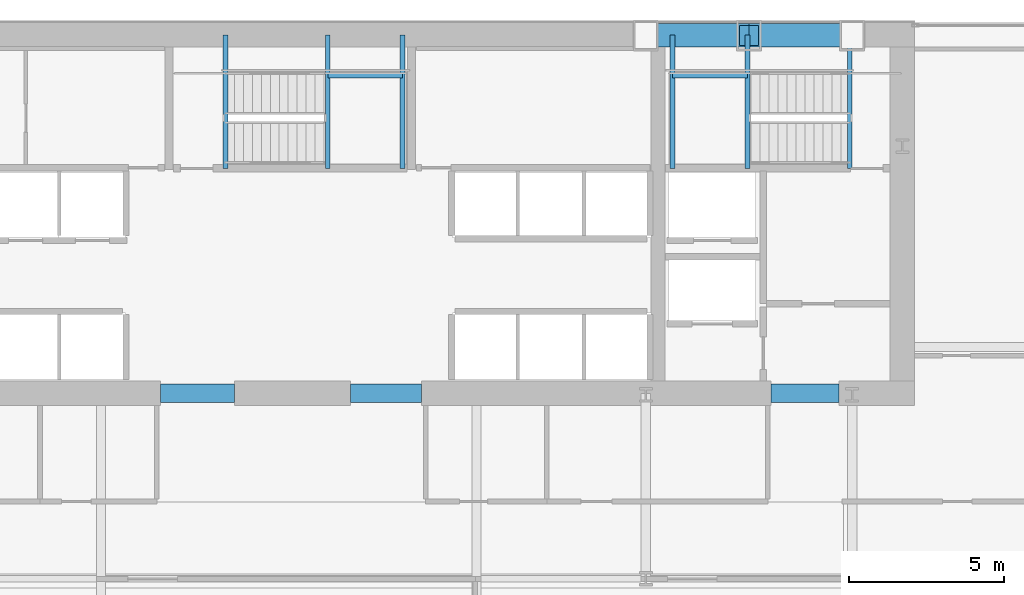
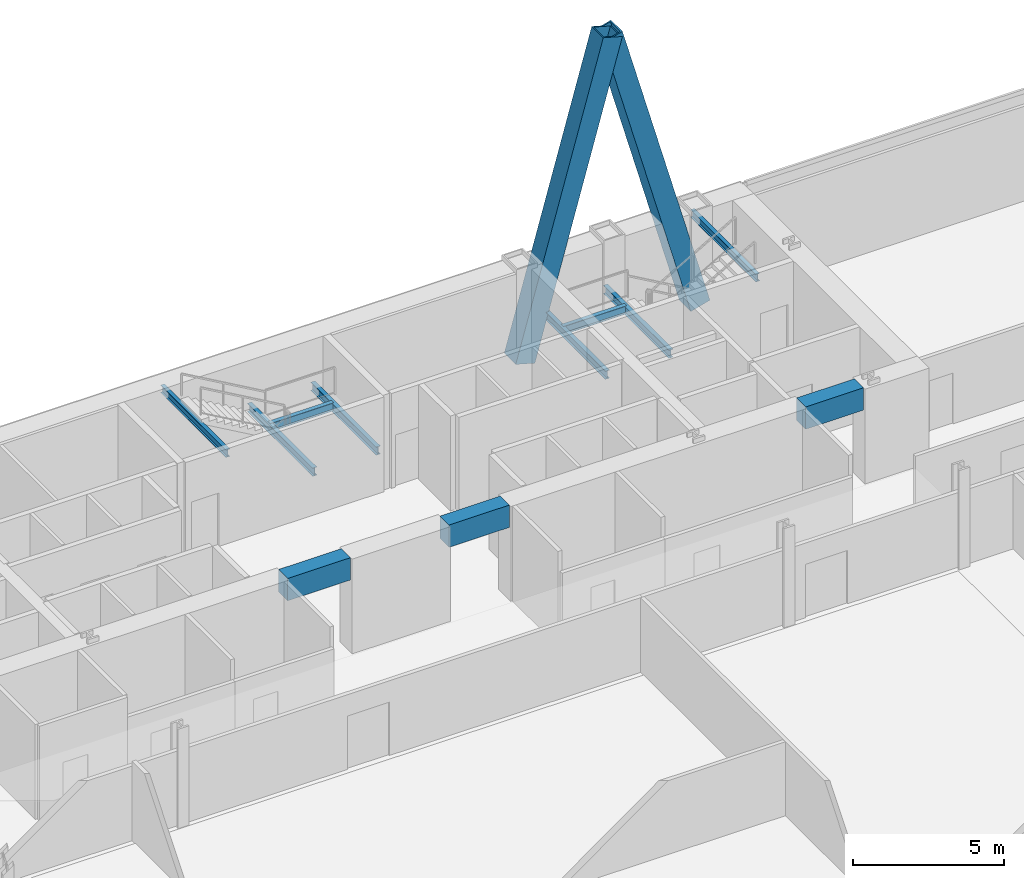
# One storey, part 19 of 35: 11 beams, 2 members.
"""IFC4 building model written with IfcOpenShell, lengths in metres."""

from ifc_helpers import new_model, si_unit, direction, frame, origin, origin_2d, place, context, subcontext, project, spatial, rectangle, hollow_rectangle, i_section, extrude, material, material_profile, profile_set, type_object, element, save


model = new_model("IFC4")

# Units and contexts
model_context = context("Model", 3, precision=1e-05, world=origin(), true_north=direction((0.0, 1.0)))
body_context = subcontext(model_context, "Body", "Model", "MODEL_VIEW")
ifc_project = project(units=[si_unit("LENGTHUNIT", "METRE"), si_unit("AREAUNIT", "SQUARE_METRE"), si_unit("VOLUMEUNIT", "CUBIC_METRE"), si_unit("PLANEANGLEUNIT", "RADIAN"), si_unit("MASSUNIT", "GRAM", prefix="KILO")], contexts=[model_context])

# Site, building, storey
site_placement = place(None, origin())
site = spatial("IfcSite", under=ifc_project, at=site_placement, CompositionType="ELEMENT")
building_placement = place(site_placement, origin())
building = spatial("IfcBuilding", under=site, at=building_placement, Name="Khoronbel Lancet Exchange", CompositionType="ELEMENT")
storey_placement = place(building_placement, frame((0.0, 0.0, 25.800048828125)))
storey = spatial("IfcBuildingStorey", under=building, at=storey_placement, Name="L05", CompositionType="ELEMENT", Elevation=25.800048828125)

# Beams
ifc_material_1 = material(Name="Steel S355", Category="steel")
ifc_material_profile_1 = material_profile(ifc_material_1, i_section(OverallWidth=0.159912109375, OverallDepth=0.330078125, WebThickness=0.007568359375, FlangeThickness=0.011474609375, at=origin_2d()), Name="IPE 330")
ifc_profile_set_1 = profile_set([ifc_material_profile_1], Name="Steel S355")
beam_type_1 = type_object("IfcBeamType", Name="BM-BJ7", PredefinedType="JOIST", material=ifc_profile_set_1)
for number, where, z_axis, x_axis, name in (
    (1, (51.2900390625, 48.97998046875, 1.635009765625), (0.0, 1.0, 0.0), (-1.0, 0.0, 0.0), "Level L05 stair ST2 landing bearer beam 1"),
    (2, (48.8701171875, 48.97998046875, 1.635009765625), (0.0, 1.0, 0.0), (-1.0, 0.0, 0.0), "Level L05 stair ST2 rear landing bearer beam 1"),
):
    element("IfcBeam", number, at=place(storey_placement, frame(where, z_axis=z_axis, x_axis=x_axis)), inside=storey, type_object=beam_type_1, Name=name, PredefinedType="JOIST", context=body_context, shape_type="SweptSolid", body=[
        extrude(i_section(OverallWidth=0.159912109375, OverallDepth=0.330078125, WebThickness=0.007568359375, FlangeThickness=0.011474609375, at=origin_2d()), origin(), (0.0, 0.0, 1.0), 4.320068359375),
    ])
beam_1_placement = place(storey_placement, frame((48.8701171875, 51.97998046875, 1.635009765625), z_axis=(1.0, 0.0, 0.0), x_axis=(0.0, 1.0, 0.0)))
element("IfcBeam", 3, at=beam_1_placement, inside=storey, type_object=beam_type_1, Name="Level L05 stair ST2 landing cross trimmer beam 1", PredefinedType="JOIST", context=body_context, shape_type="SweptSolid", body=[
    extrude(i_section(OverallWidth=0.159912109375, OverallDepth=0.330078125, WebThickness=0.007568359375, FlangeThickness=0.011474609375, at=origin_2d()), origin(), (0.0, 0.0, 1.0), 2.419921875),
])
for number, where, z_axis, x_axis, name in (
    (4, (37.7099609375, 48.97998046875, 1.635009765625), (0.0, 1.0, 0.0), (-1.0, 0.0, 0.0), "Level L05 stair ST3 landing bearer beam 1"),
    (5, (40.1298828125, 48.97998046875, 1.635009765625), (0.0, 1.0, 0.0), (-1.0, 0.0, 0.0), "Level L05 stair ST3 rear landing bearer beam 1"),
):
    element("IfcBeam", number, at=place(storey_placement, frame(where, z_axis=z_axis, x_axis=x_axis)), inside=storey, type_object=beam_type_1, Name=name, PredefinedType="JOIST", context=body_context, shape_type="SweptSolid", body=[
        extrude(i_section(OverallWidth=0.159912109375, OverallDepth=0.330078125, WebThickness=0.007568359375, FlangeThickness=0.011474609375, at=origin_2d()), origin(), (0.0, 0.0, 1.0), 4.320068359375),
    ])
beam_2_placement = place(storey_placement, frame((37.7099609375, 51.97998046875, 1.635009765625), z_axis=(1.0, 0.0, 0.0), x_axis=(0.0, 1.0, 0.0)))
element("IfcBeam", 6, at=beam_2_placement, inside=storey, type_object=beam_type_1, Name="Level L05 stair ST3 landing cross trimmer beam 1", PredefinedType="JOIST", context=body_context, shape_type="SweptSolid", body=[
    extrude(i_section(OverallWidth=0.159912109375, OverallDepth=0.330078125, WebThickness=0.007568359375, FlangeThickness=0.011474609375, at=origin_2d()), origin(), (0.0, 0.0, 1.0), 2.419921875),
])
ifc_material_profile_2 = material_profile(ifc_material_1, i_section(OverallWidth=0.14990234375, OverallDepth=0.300048828125, WebThickness=0.007080078125, FlangeThickness=0.0107421875, at=origin_2d()), Name="IPE 300")
ifc_profile_set_2 = profile_set([ifc_material_profile_2], Name="Steel S355")
beam_type_2 = type_object("IfcBeamType", Name="BM-BJ8", PredefinedType="JOIST", material=ifc_profile_set_2)
for number, where, z_axis, x_axis, name in (
    (7, (54.60009765625, 48.97998046875, 3.5400390625), (0.0, 1.0, 0.0), (-1.0, 0.0, 0.0), "Level L05 stair ST2 upper-flight arrival trimmer beam"),
    (8, (34.39990234375, 48.97998046875, 3.5400390625), (0.0, 1.0, 0.0), (-1.0, 0.0, 0.0), "Level L05 stair ST3 upper-flight arrival trimmer beam"),
):
    element("IfcBeam", number, at=place(storey_placement, frame(where, z_axis=z_axis, x_axis=x_axis)), inside=storey, type_object=beam_type_2, Name=name, PredefinedType="JOIST", context=body_context, shape_type="SweptSolid", body=[
        extrude(i_section(OverallWidth=0.14990234375, OverallDepth=0.300048828125, WebThickness=0.007080078125, FlangeThickness=0.0107421875, at=origin_2d()), origin(), (0.0, 0.0, 1.0), 4.320068359375),
    ])
ifc_material_2 = material(Name="Concrete C80/95", Category="concrete")
ifc_material_profile_3 = material_profile(ifc_material_2, rectangle(XDim=0.60009765625, YDim=0.89990234375, at=origin_2d()), Name="RC 600x900")
ifc_profile_set_3 = profile_set([ifc_material_profile_3], Name="Concrete C80/95")
beam_type_3 = type_object("IfcBeamType", Name="BM-BL1", PredefinedType="LINTEL", material=ifc_profile_set_3)
beam_3_placement = place(storey_placement, frame((32.300048828125, 41.699951171875, 3.369873046875), z_axis=(1.0, 0.0, 0.0), x_axis=(0.0, 1.0, 0.0)))
element("IfcBeam", 9, at=beam_3_placement, inside=storey, type_object=beam_type_3, Name="Level L05 rear core coupling lintel L2", PredefinedType="LINTEL", context=body_context, shape_type="SweptSolid", body=[
    extrude(rectangle(XDim=0.60009765625, YDim=0.89990234375, at=origin_2d()), origin(), (0.0, 0.0, 1.0), 2.39990234375),
])
beam_4_placement = place(storey_placement, frame((38.449951171875, 41.699951171875, 3.369873046875), z_axis=(1.0, 0.0, 0.0), x_axis=(0.0, 1.0, 0.0)))
element("IfcBeam", 10, at=beam_4_placement, inside=storey, type_object=beam_type_3, Name="Level L05 rear core coupling lintel L3", PredefinedType="LINTEL", context=body_context, shape_type="SweptSolid", body=[
    extrude(rectangle(XDim=0.60009765625, YDim=0.89990234375, at=origin_2d()), origin(), (0.0, 0.0, 1.0), 2.300048828125),
])
beam_5_placement = place(storey_placement, frame((52.050048828125, 41.699951171875, 3.369873046875), z_axis=(1.0, 0.0, 0.0), x_axis=(0.0, 1.0, 0.0)))
element("IfcBeam", 11, at=beam_5_placement, inside=storey, type_object=beam_type_3, Name="Level L05 rear core coupling lintel L4", PredefinedType="LINTEL", context=body_context, shape_type="SweptSolid", body=[
    extrude(rectangle(XDim=0.60009765625, YDim=0.89990234375, at=origin_2d()), origin(), (0.0, 0.0, 1.0), 2.199951171875),
])

# Members
ifc_material_3 = material(Name="Steel S460", Category="steel")
ifc_material_profile_4 = material_profile(ifc_material_3, hollow_rectangle(XDim=0.760009765625, YDim=0.760009765625, WallThickness=0.054931640625, at=origin_2d()), Name="BOX 760x760x55")
ifc_profile_set_4 = profile_set([ifc_material_profile_4], Name="Steel S460")
member_type = type_object("IfcMemberType", Name="MEM-MB1", PredefinedType="BRACE", material=ifc_profile_set_4)
for number, where, z_axis, x_axis, name in (
    (12, (48.0, 53.280029296875, 0.0), (0.267947134133, 0.0, 0.963433616452), (0.0, 1.0, 0.0), "Perimeter lancet brace tier 1 N-E-L"),
    (13, (54.675048828125, 53.280029296875, 0.0), (-0.267965327822, 0.0, 0.963428556295), (0.0, -1.0, 0.0), "Perimeter lancet brace tier 1 N-E-R"),
):
    element("IfcMember", number, at=place(storey_placement, frame(where, z_axis=z_axis, x_axis=x_axis)), inside=storey, type_object=member_type, Name=name, PredefinedType="BRACE", context=body_context, shape_type="SweptSolid", body=[
        extrude(hollow_rectangle(XDim=0.760009765625, YDim=0.760009765625, WallThickness=0.054931640625, at=origin_2d()), origin(), (0.0, 0.0, 1.0), 12.45556640625),
    ])

save(model, "model.ifc")
